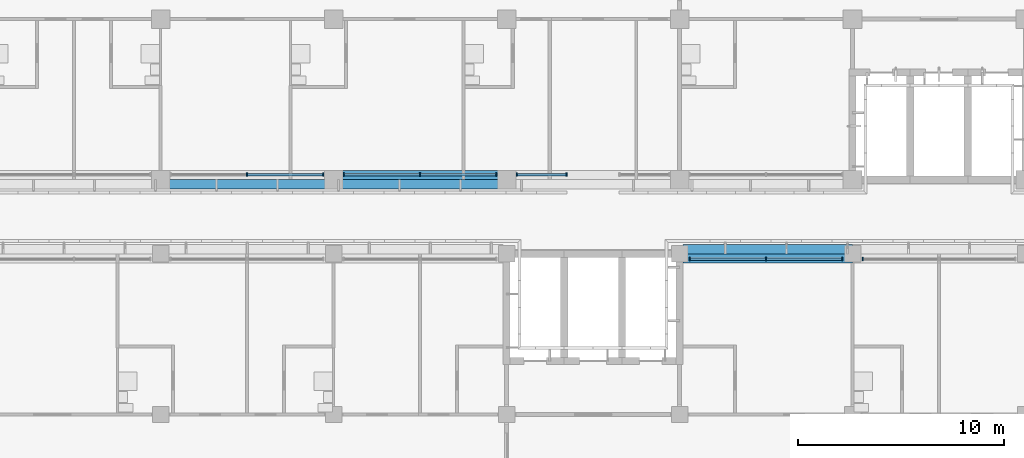
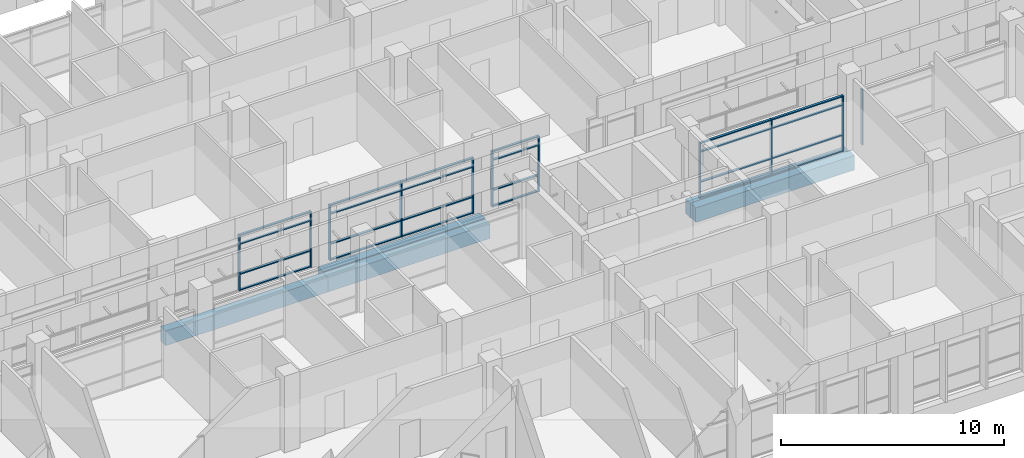
# One storey, part 31 of 137: 35 members, 5 beams, 5 elements without a shape of their own.
"""IFC4 building model written with IfcOpenShell, lengths in metres."""

from ifc_helpers import new_model, si_unit, direction, frame, origin, origin_2d, place, context, subcontext, project, spatial, rectangle, extrude, material, material_profile, profile_set, type_object, element, aggregate, save


model = new_model("IFC4")

# Units and contexts
model_context = context("Model", 3, precision=1e-05, world=origin(), true_north=direction((0.0, 1.0)))
body_context = subcontext(model_context, "Body", "Model", "MODEL_VIEW")
ifc_project = project(units=[si_unit("LENGTHUNIT", "METRE"), si_unit("AREAUNIT", "SQUARE_METRE"), si_unit("VOLUMEUNIT", "CUBIC_METRE"), si_unit("PLANEANGLEUNIT", "RADIAN"), si_unit("MASSUNIT", "GRAM", prefix="KILO")], contexts=[model_context])

# Site, building, storey
site_placement = place(None, origin())
site = spatial("IfcSite", under=ifc_project, at=site_placement, CompositionType="ELEMENT")
building_placement = place(site_placement, origin())
building = spatial("IfcBuilding", under=site, at=building_placement, Name="Bougainvillea Quay General Hospital", CompositionType="ELEMENT")
storey_placement = place(building_placement, frame((0.0, 0.0, 16.800048828125)))
storey = spatial("IfcBuildingStorey", under=building, at=storey_placement, Name="L03", CompositionType="ELEMENT", Elevation=16.800048828125)

# Curtain wall, members
ifc_material_1 = material(Name="Aluminium curtain wall system, powder-coated glazed", Category="aluminium")
curtain_wall_type_1 = type_object("IfcCurtainWallType", Name="Unitised curtain wall CW-3730", PredefinedType="NOTDEFINED", material=ifc_material_1)
curtain_wall_1_placement = place(storey_placement, origin())
curtain_wall_1 = element("IfcCurtainWall", 1, at=curtain_wall_1_placement, inside=storey, type_object=curtain_wall_type_1, Name="CW-4200 05", PredefinedType="NOTDEFINED")
ifc_material_2 = material(Name="Aluminium mullion, powder-coated charcoal", Category="aluminium")
ifc_material_profile_1 = material_profile(ifc_material_2, rectangle(XDim=0.159912109375, YDim=0.06005859375, at=origin_2d()))
ifc_profile_set_1 = profile_set([ifc_material_profile_1], Name="Aluminium mullion, powder-coated charcoal")
member_type_1 = type_object("IfcMemberType", Name="Curtain wall mullion 160x60", PredefinedType="MULLION", material=ifc_profile_set_1)
member_1_placement = place(storey_placement, frame((121.800048828125, 140.64990234375, 0.0), z_axis=(0.0, 0.0, 1.0), x_axis=(0.0, 1.0, 0.0)))
member_1 = element("IfcMember", 2, at=member_1_placement, type_object=member_type_1, Name="CW-4200 mullion 2", PredefinedType="MULLION", context=body_context, shape_type="SweptSolid", body=[
    extrude(rectangle(XDim=0.159912109375, YDim=0.06005859375, at=origin_2d()), origin(), (0.0, 0.0, 1.0), 3.050048828125),
])
member_2_placement = place(storey_placement, frame((125.5, 140.64990234375, 0.0), z_axis=(0.0, 0.0, 1.0), x_axis=(0.0, 1.0, 0.0)))
member_2 = element("IfcMember", 3, at=member_2_placement, type_object=member_type_1, Name="CW-4200 mullion 3", PredefinedType="MULLION", context=body_context, shape_type="SweptSolid", body=[
    extrude(rectangle(XDim=0.159912109375, YDim=0.06005859375, at=origin_2d()), origin(), (0.0, 0.0, 1.0), 3.050048828125),
])

curtain_wall_2_placement = place(storey_placement, origin())
curtain_wall_2 = element("IfcCurtainWall", 4, at=curtain_wall_2_placement, inside=storey, type_object=curtain_wall_type_1, Name="CW-4200 06", PredefinedType="NOTDEFINED")
member_3_placement = place(storey_placement, frame((126.5, 140.64990234375, 0.0), z_axis=(0.0, 0.0, 1.0), x_axis=(0.0, 1.0, 0.0)))
member_3 = element("IfcMember", 5, at=member_3_placement, type_object=member_type_1, Name="CW-4200 mullion 1", PredefinedType="MULLION", context=body_context, shape_type="SweptSolid", body=[
    extrude(rectangle(XDim=0.159912109375, YDim=0.06005859375, at=origin_2d()), origin(), (0.0, 0.0, 1.0), 3.050048828125),
])
member_4_placement = place(storey_placement, frame((130.199951171875, 140.64990234375, 0.0), z_axis=(0.0, 0.0, 1.0), x_axis=(0.0, 1.0, 0.0)))
member_4 = element("IfcMember", 6, at=member_4_placement, type_object=member_type_1, Name="CW-4200 mullion 2", PredefinedType="MULLION", context=body_context, shape_type="SweptSolid", body=[
    extrude(rectangle(XDim=0.159912109375, YDim=0.06005859375, at=origin_2d()), origin(), (0.0, 0.0, 1.0), 3.050048828125),
])
member_5_placement = place(storey_placement, frame((133.89990234375, 140.64990234375, 0.0), z_axis=(0.0, 0.0, 1.0), x_axis=(0.0, 1.0, 0.0)))
member_5 = element("IfcMember", 7, at=member_5_placement, type_object=member_type_1, Name="CW-4200 mullion 3", PredefinedType="MULLION", context=body_context, shape_type="SweptSolid", body=[
    extrude(rectangle(XDim=0.159912109375, YDim=0.06005859375, at=origin_2d()), origin(), (0.0, 0.0, 1.0), 3.050048828125),
])

curtain_wall_type_2 = type_object("IfcCurtainWallType", Name="Unitised curtain wall CW-2470", PredefinedType="NOTDEFINED", material=ifc_material_1)
curtain_wall_3_placement = place(storey_placement, origin())
curtain_wall_3 = element("IfcCurtainWall", 8, at=curtain_wall_3_placement, inside=storey, type_object=curtain_wall_type_2, Name="CW-4200 07", PredefinedType="NOTDEFINED")
member_6_placement = place(storey_placement, frame((134.89990234375, 140.64990234375, 0.0), z_axis=(0.0, 0.0, 1.0), x_axis=(0.0, 1.0, 0.0)))
member_6 = element("IfcMember", 9, at=member_6_placement, type_object=member_type_1, Name="CW-4200 mullion 1", PredefinedType="MULLION", context=body_context, shape_type="SweptSolid", body=[
    extrude(rectangle(XDim=0.159912109375, YDim=0.06005859375, at=origin_2d()), origin(), (0.0, 0.0, 1.0), 3.050048828125),
])
member_7_placement = place(storey_placement, frame((137.31005859375, 140.64990234375, 0.0), z_axis=(0.0, 0.0, 1.0), x_axis=(0.0, 1.0, 0.0)))
member_7 = element("IfcMember", 10, at=member_7_placement, type_object=member_type_1, Name="CW-4200 mullion 2", PredefinedType="MULLION", context=body_context, shape_type="SweptSolid", body=[
    extrude(rectangle(XDim=0.159912109375, YDim=0.06005859375, at=origin_2d()), origin(), (0.0, 0.0, 1.0), 3.050048828125),
])

# Curtain wall, member
curtain_wall_4_placement = place(storey_placement, origin())
curtain_wall_4 = element("IfcCurtainWall", 11, at=curtain_wall_4_placement, inside=storey, type_object=curtain_wall_type_1, Name="CW-4200 01", PredefinedType="NOTDEFINED")
member_8_placement = place(storey_placement, frame((151.699951171875, 136.550048828125, 0.0), z_axis=(0.0, 0.0, 1.0), x_axis=(0.0, -1.0, 0.0)))
member_8 = element("IfcMember", 12, at=member_8_placement, type_object=member_type_1, Name="CW-4200 mullion 3", PredefinedType="MULLION", context=body_context, shape_type="SweptSolid", body=[
    extrude(rectangle(XDim=0.159912109375, YDim=0.06005859375, at=origin_2d()), origin(), (0.0, 0.0, 1.0), 3.050048828125),
])
aggregate(curtain_wall_4, [member_8])

# Curtain wall, members
curtain_wall_5_placement = place(storey_placement, origin())
curtain_wall_5 = element("IfcCurtainWall", 13, at=curtain_wall_5_placement, inside=storey, type_object=curtain_wall_type_1, Name="CW-4200 02", PredefinedType="NOTDEFINED")
member_9_placement = place(storey_placement, frame((150.699951171875, 136.550048828125, 0.0), z_axis=(0.0, 0.0, 1.0), x_axis=(0.0, -1.0, 0.0)))
member_9 = element("IfcMember", 14, at=member_9_placement, type_object=member_type_1, Name="CW-4200 mullion 1", PredefinedType="MULLION", context=body_context, shape_type="SweptSolid", body=[
    extrude(rectangle(XDim=0.159912109375, YDim=0.06005859375, at=origin_2d()), origin(), (0.0, 0.0, 1.0), 3.050048828125),
])
member_10_placement = place(storey_placement, frame((147.0, 136.550048828125, 0.0), z_axis=(0.0, 0.0, 1.0), x_axis=(0.0, -1.0, 0.0)))
member_10 = element("IfcMember", 15, at=member_10_placement, type_object=member_type_1, Name="CW-4200 mullion 2", PredefinedType="MULLION", context=body_context, shape_type="SweptSolid", body=[
    extrude(rectangle(XDim=0.159912109375, YDim=0.06005859375, at=origin_2d()), origin(), (0.0, 0.0, 1.0), 3.050048828125),
])
member_11_placement = place(storey_placement, frame((143.300048828125, 136.550048828125, 0.0), z_axis=(0.0, 0.0, 1.0), x_axis=(0.0, -1.0, 0.0)))
member_11 = element("IfcMember", 16, at=member_11_placement, type_object=member_type_1, Name="CW-4200 mullion 3", PredefinedType="MULLION", context=body_context, shape_type="SweptSolid", body=[
    extrude(rectangle(XDim=0.159912109375, YDim=0.06005859375, at=origin_2d()), origin(), (0.0, 0.0, 1.0), 3.050048828125),
])

# Member
ifc_material_3 = material(Name="Aluminium transom, powder-coated charcoal", Category="aluminium")
ifc_material_profile_2 = material_profile(ifc_material_3, rectangle(XDim=0.1201171875, YDim=0.06005859375, at=origin_2d()))
ifc_profile_set_2 = profile_set([ifc_material_profile_2], Name="Aluminium transom, powder-coated charcoal")
member_type_2 = type_object("IfcMemberType", Name="Curtain wall transom 120x60", PredefinedType="USERDEFINED", material=ifc_profile_set_2)
member_12_placement = place(storey_placement, frame((121.830078125, 140.64990234375, 0.030029296875), z_axis=(1.0, 0.0, 0.0), x_axis=(0.0, 1.0, 0.0)))
member_12 = element("IfcMember", 17, at=member_12_placement, type_object=member_type_2, Name="CW-4200 transom 2.1", ObjectType="TRANSOM", PredefinedType="USERDEFINED", context=body_context, shape_type="SweptSolid", body=[
    extrude(rectangle(XDim=0.1201171875, YDim=0.06005859375, at=origin_2d()), origin(), (0.0, 0.0, 1.0), 3.639892578125),
])

member_13_placement = place(storey_placement, frame((121.830078125, 140.64990234375, 0.89990234375), z_axis=(1.0, 0.0, 0.0), x_axis=(0.0, 1.0, 0.0)))
member_13 = element("IfcMember", 18, at=member_13_placement, type_object=member_type_2, Name="CW-4200 transom 2.2", ObjectType="TRANSOM", PredefinedType="USERDEFINED", context=body_context, shape_type="SweptSolid", body=[
    extrude(rectangle(XDim=0.1201171875, YDim=0.06005859375, at=origin_2d()), origin(), (0.0, 0.0, 1.0), 3.639892578125),
])

member_14_placement = place(storey_placement, frame((121.830078125, 140.64990234375, 2.550048828125), z_axis=(1.0, 0.0, 0.0), x_axis=(0.0, 1.0, 0.0)))
member_14 = element("IfcMember", 19, at=member_14_placement, type_object=member_type_2, Name="CW-4200 transom 2.3", ObjectType="TRANSOM", PredefinedType="USERDEFINED", context=body_context, shape_type="SweptSolid", body=[
    extrude(rectangle(XDim=0.1201171875, YDim=0.06005859375, at=origin_2d()), origin(), (0.0, 0.0, 1.0), 3.639892578125),
])

member_15_placement = place(storey_placement, frame((121.830078125, 140.64990234375, 3.02001953125), z_axis=(1.0, 0.0, 0.0), x_axis=(0.0, 1.0, 0.0)))
member_15 = element("IfcMember", 20, at=member_15_placement, type_object=member_type_2, Name="CW-4200 transom 2.4", ObjectType="TRANSOM", PredefinedType="USERDEFINED", context=body_context, shape_type="SweptSolid", body=[
    extrude(rectangle(XDim=0.1201171875, YDim=0.06005859375, at=origin_2d()), origin(), (0.0, 0.0, 1.0), 3.639892578125),
])

aggregate(curtain_wall_1, [member_1, member_2, member_12, member_13, member_14, member_15])

member_16_placement = place(storey_placement, frame((126.530029296875, 140.64990234375, 0.030029296875), z_axis=(1.0, 0.0, 0.0), x_axis=(0.0, 1.0, 0.0)))
member_16 = element("IfcMember", 21, at=member_16_placement, type_object=member_type_2, Name="CW-4200 transom 1.1", ObjectType="TRANSOM", PredefinedType="USERDEFINED", context=body_context, shape_type="SweptSolid", body=[
    extrude(rectangle(XDim=0.1201171875, YDim=0.06005859375, at=origin_2d()), origin(), (0.0, 0.0, 1.0), 3.639892578125),
])

member_17_placement = place(storey_placement, frame((126.530029296875, 140.64990234375, 0.89990234375), z_axis=(1.0, 0.0, 0.0), x_axis=(0.0, 1.0, 0.0)))
member_17 = element("IfcMember", 22, at=member_17_placement, type_object=member_type_2, Name="CW-4200 transom 1.2", ObjectType="TRANSOM", PredefinedType="USERDEFINED", context=body_context, shape_type="SweptSolid", body=[
    extrude(rectangle(XDim=0.1201171875, YDim=0.06005859375, at=origin_2d()), origin(), (0.0, 0.0, 1.0), 3.639892578125),
])

member_18_placement = place(storey_placement, frame((126.530029296875, 140.64990234375, 2.550048828125), z_axis=(1.0, 0.0, 0.0), x_axis=(0.0, 1.0, 0.0)))
member_18 = element("IfcMember", 23, at=member_18_placement, type_object=member_type_2, Name="CW-4200 transom 1.3", ObjectType="TRANSOM", PredefinedType="USERDEFINED", context=body_context, shape_type="SweptSolid", body=[
    extrude(rectangle(XDim=0.1201171875, YDim=0.06005859375, at=origin_2d()), origin(), (0.0, 0.0, 1.0), 3.639892578125),
])

member_19_placement = place(storey_placement, frame((126.530029296875, 140.64990234375, 3.02001953125), z_axis=(1.0, 0.0, 0.0), x_axis=(0.0, 1.0, 0.0)))
member_19 = element("IfcMember", 24, at=member_19_placement, type_object=member_type_2, Name="CW-4200 transom 1.4", ObjectType="TRANSOM", PredefinedType="USERDEFINED", context=body_context, shape_type="SweptSolid", body=[
    extrude(rectangle(XDim=0.1201171875, YDim=0.06005859375, at=origin_2d()), origin(), (0.0, 0.0, 1.0), 3.639892578125),
])

member_20_placement = place(storey_placement, frame((130.22998046875, 140.64990234375, 0.030029296875), z_axis=(1.0, 0.0, 0.0), x_axis=(0.0, 1.0, 0.0)))
member_20 = element("IfcMember", 25, at=member_20_placement, type_object=member_type_2, Name="CW-4200 transom 2.1", ObjectType="TRANSOM", PredefinedType="USERDEFINED", context=body_context, shape_type="SweptSolid", body=[
    extrude(rectangle(XDim=0.1201171875, YDim=0.06005859375, at=origin_2d()), origin(), (0.0, 0.0, 1.0), 3.64013671875),
])

member_21_placement = place(storey_placement, frame((130.22998046875, 140.64990234375, 0.89990234375), z_axis=(1.0, 0.0, 0.0), x_axis=(0.0, 1.0, 0.0)))
member_21 = element("IfcMember", 26, at=member_21_placement, type_object=member_type_2, Name="CW-4200 transom 2.2", ObjectType="TRANSOM", PredefinedType="USERDEFINED", context=body_context, shape_type="SweptSolid", body=[
    extrude(rectangle(XDim=0.1201171875, YDim=0.06005859375, at=origin_2d()), origin(), (0.0, 0.0, 1.0), 3.64013671875),
])

member_22_placement = place(storey_placement, frame((130.22998046875, 140.64990234375, 2.550048828125), z_axis=(1.0, 0.0, 0.0), x_axis=(0.0, 1.0, 0.0)))
member_22 = element("IfcMember", 27, at=member_22_placement, type_object=member_type_2, Name="CW-4200 transom 2.3", ObjectType="TRANSOM", PredefinedType="USERDEFINED", context=body_context, shape_type="SweptSolid", body=[
    extrude(rectangle(XDim=0.1201171875, YDim=0.06005859375, at=origin_2d()), origin(), (0.0, 0.0, 1.0), 3.64013671875),
])

member_23_placement = place(storey_placement, frame((130.22998046875, 140.64990234375, 3.02001953125), z_axis=(1.0, 0.0, 0.0), x_axis=(0.0, 1.0, 0.0)))
member_23 = element("IfcMember", 28, at=member_23_placement, type_object=member_type_2, Name="CW-4200 transom 2.4", ObjectType="TRANSOM", PredefinedType="USERDEFINED", context=body_context, shape_type="SweptSolid", body=[
    extrude(rectangle(XDim=0.1201171875, YDim=0.06005859375, at=origin_2d()), origin(), (0.0, 0.0, 1.0), 3.64013671875),
])

aggregate(curtain_wall_2, [member_3, member_4, member_5, member_16, member_17, member_18, member_19, member_20, member_21, member_22, member_23])

member_24_placement = place(storey_placement, frame((134.929931640625, 140.64990234375, 0.030029296875), z_axis=(1.0, 0.0, 0.0), x_axis=(0.0, 1.0, 0.0)))
member_24 = element("IfcMember", 29, at=member_24_placement, type_object=member_type_2, Name="CW-4200 transom 1.1", ObjectType="TRANSOM", PredefinedType="USERDEFINED", context=body_context, shape_type="SweptSolid", body=[
    extrude(rectangle(XDim=0.1201171875, YDim=0.06005859375, at=origin_2d()), origin(), (0.0, 0.0, 1.0), 2.35009765625),
])

member_25_placement = place(storey_placement, frame((134.929931640625, 140.64990234375, 0.89990234375), z_axis=(1.0, 0.0, 0.0), x_axis=(0.0, 1.0, 0.0)))
member_25 = element("IfcMember", 30, at=member_25_placement, type_object=member_type_2, Name="CW-4200 transom 1.2", ObjectType="TRANSOM", PredefinedType="USERDEFINED", context=body_context, shape_type="SweptSolid", body=[
    extrude(rectangle(XDim=0.1201171875, YDim=0.06005859375, at=origin_2d()), origin(), (0.0, 0.0, 1.0), 2.35009765625),
])

member_26_placement = place(storey_placement, frame((134.929931640625, 140.64990234375, 2.550048828125), z_axis=(1.0, 0.0, 0.0), x_axis=(0.0, 1.0, 0.0)))
member_26 = element("IfcMember", 31, at=member_26_placement, type_object=member_type_2, Name="CW-4200 transom 1.3", ObjectType="TRANSOM", PredefinedType="USERDEFINED", context=body_context, shape_type="SweptSolid", body=[
    extrude(rectangle(XDim=0.1201171875, YDim=0.06005859375, at=origin_2d()), origin(), (0.0, 0.0, 1.0), 2.35009765625),
])

member_27_placement = place(storey_placement, frame((134.929931640625, 140.64990234375, 3.02001953125), z_axis=(1.0, 0.0, 0.0), x_axis=(0.0, 1.0, 0.0)))
member_27 = element("IfcMember", 32, at=member_27_placement, type_object=member_type_2, Name="CW-4200 transom 1.4", ObjectType="TRANSOM", PredefinedType="USERDEFINED", context=body_context, shape_type="SweptSolid", body=[
    extrude(rectangle(XDim=0.1201171875, YDim=0.06005859375, at=origin_2d()), origin(), (0.0, 0.0, 1.0), 2.35009765625),
])

aggregate(curtain_wall_3, [member_6, member_7, member_24, member_25, member_26, member_27])

member_28_placement = place(storey_placement, frame((150.669921875, 136.550048828125, 0.030029296875), z_axis=(-1.0, 0.0, 0.0), x_axis=(0.0, -1.0, 0.0)))
member_28 = element("IfcMember", 33, at=member_28_placement, type_object=member_type_2, Name="CW-4200 transom 1.1", ObjectType="TRANSOM", PredefinedType="USERDEFINED", context=body_context, shape_type="SweptSolid", body=[
    extrude(rectangle(XDim=0.1201171875, YDim=0.06005859375, at=origin_2d()), origin(), (0.0, 0.0, 1.0), 3.639892578125),
])

member_29_placement = place(storey_placement, frame((150.669921875, 136.550048828125, 0.89990234375), z_axis=(-1.0, 0.0, 0.0), x_axis=(0.0, -1.0, 0.0)))
member_29 = element("IfcMember", 34, at=member_29_placement, type_object=member_type_2, Name="CW-4200 transom 1.2", ObjectType="TRANSOM", PredefinedType="USERDEFINED", context=body_context, shape_type="SweptSolid", body=[
    extrude(rectangle(XDim=0.1201171875, YDim=0.06005859375, at=origin_2d()), origin(), (0.0, 0.0, 1.0), 3.639892578125),
])

member_30_placement = place(storey_placement, frame((150.669921875, 136.550048828125, 2.550048828125), z_axis=(-1.0, 0.0, 0.0), x_axis=(0.0, -1.0, 0.0)))
member_30 = element("IfcMember", 35, at=member_30_placement, type_object=member_type_2, Name="CW-4200 transom 1.3", ObjectType="TRANSOM", PredefinedType="USERDEFINED", context=body_context, shape_type="SweptSolid", body=[
    extrude(rectangle(XDim=0.1201171875, YDim=0.06005859375, at=origin_2d()), origin(), (0.0, 0.0, 1.0), 3.639892578125),
])

member_31_placement = place(storey_placement, frame((150.669921875, 136.550048828125, 3.02001953125), z_axis=(-1.0, 0.0, 0.0), x_axis=(0.0, -1.0, 0.0)))
member_31 = element("IfcMember", 36, at=member_31_placement, type_object=member_type_2, Name="CW-4200 transom 1.4", ObjectType="TRANSOM", PredefinedType="USERDEFINED", context=body_context, shape_type="SweptSolid", body=[
    extrude(rectangle(XDim=0.1201171875, YDim=0.06005859375, at=origin_2d()), origin(), (0.0, 0.0, 1.0), 3.639892578125),
])

member_32_placement = place(storey_placement, frame((146.969970703125, 136.550048828125, 0.030029296875), z_axis=(-1.0, 0.0, 0.0), x_axis=(0.0, -1.0, 0.0)))
member_32 = element("IfcMember", 37, at=member_32_placement, type_object=member_type_2, Name="CW-4200 transom 2.1", ObjectType="TRANSOM", PredefinedType="USERDEFINED", context=body_context, shape_type="SweptSolid", body=[
    extrude(rectangle(XDim=0.1201171875, YDim=0.06005859375, at=origin_2d()), origin(), (0.0, 0.0, 1.0), 3.639892578125),
])

member_33_placement = place(storey_placement, frame((146.969970703125, 136.550048828125, 0.89990234375), z_axis=(-1.0, 0.0, 0.0), x_axis=(0.0, -1.0, 0.0)))
member_33 = element("IfcMember", 38, at=member_33_placement, type_object=member_type_2, Name="CW-4200 transom 2.2", ObjectType="TRANSOM", PredefinedType="USERDEFINED", context=body_context, shape_type="SweptSolid", body=[
    extrude(rectangle(XDim=0.1201171875, YDim=0.06005859375, at=origin_2d()), origin(), (0.0, 0.0, 1.0), 3.639892578125),
])

member_34_placement = place(storey_placement, frame((146.969970703125, 136.550048828125, 2.550048828125), z_axis=(-1.0, 0.0, 0.0), x_axis=(0.0, -1.0, 0.0)))
member_34 = element("IfcMember", 39, at=member_34_placement, type_object=member_type_2, Name="CW-4200 transom 2.3", ObjectType="TRANSOM", PredefinedType="USERDEFINED", context=body_context, shape_type="SweptSolid", body=[
    extrude(rectangle(XDim=0.1201171875, YDim=0.06005859375, at=origin_2d()), origin(), (0.0, 0.0, 1.0), 3.639892578125),
])

member_35_placement = place(storey_placement, frame((146.969970703125, 136.550048828125, 3.02001953125), z_axis=(-1.0, 0.0, 0.0), x_axis=(0.0, -1.0, 0.0)))
member_35 = element("IfcMember", 40, at=member_35_placement, type_object=member_type_2, Name="CW-4200 transom 2.4", ObjectType="TRANSOM", PredefinedType="USERDEFINED", context=body_context, shape_type="SweptSolid", body=[
    extrude(rectangle(XDim=0.1201171875, YDim=0.06005859375, at=origin_2d()), origin(), (0.0, 0.0, 1.0), 3.639892578125),
])

aggregate(curtain_wall_5, [member_9, member_10, member_11, member_28, member_29, member_30, member_31, member_32, member_33, member_34, member_35])

# Beams
ifc_material_4 = material(Name="Concrete C40", Category="concrete")
ifc_material_profile_3 = material_profile(ifc_material_4, rectangle(XDim=0.449951171875, YDim=0.800048828125, at=origin_2d()))
ifc_profile_set_3 = profile_set([ifc_material_profile_3], Name="Concrete C40")
beam_type = type_object("IfcBeamType", Name="RC BEAM 450x800 C40", PredefinedType="BEAM", material=ifc_profile_set_3)
beam_1_placement = place(storey_placement, frame((126.0, 140.625, -0.699951171875), z_axis=(1.0, 0.0, 0.0), x_axis=(0.0, 1.0, 0.0)))
element("IfcBeam", 41, at=beam_1_placement, inside=storey, type_object=beam_type, Name="Edge beam L03", PredefinedType="BEAM", context=body_context, shape_type="SweptSolid", body=[
    extrude(rectangle(XDim=0.449951171875, YDim=0.800048828125, at=origin_2d()), origin(), (0.0, 0.0, 1.0), 8.39990234375),
])
beam_2_placement = place(storey_placement, frame((151.199951171875, 136.574951171875, -0.699951171875), z_axis=(-1.0, 0.0, 0.0), x_axis=(0.0, -1.0, 0.0)))
element("IfcBeam", 42, at=beam_2_placement, inside=storey, type_object=beam_type, Name="Edge beam L03", PredefinedType="BEAM", context=body_context, shape_type="SweptSolid", body=[
    extrude(rectangle(XDim=0.449951171875, YDim=0.800048828125, at=origin_2d()), origin(), (0.0, 0.0, 1.0), 8.224853515625),
])
for number, where, z_axis, x_axis, name in (
    (43, (134.39990234375, 140.175048828125, -0.75), (-1.0, 0.0, 0.0), (0.0, -1.0, 0.0), "Edge beam L03"),
    (44, (126.0, 140.175048828125, -0.75), (-1.0, 0.0, 0.0), (0.0, -1.0, 0.0), "Edge beam L03"),
):
    element("IfcBeam", number, at=place(storey_placement, frame(where, z_axis=z_axis, x_axis=x_axis)), inside=storey, type_object=beam_type, Name=name, PredefinedType="BEAM", context=body_context, shape_type="SweptSolid", body=[
        extrude(rectangle(XDim=0.449951171875, YDim=0.800048828125, at=origin_2d()), origin(), (0.0, 0.0, 1.0), 8.39990234375),
    ])
beam_3_placement = place(storey_placement, frame((142.97509765625, 137.02490234375, -0.75), z_axis=(1.0, 0.0, 0.0), x_axis=(0.0, 1.0, 0.0)))
element("IfcBeam", 45, at=beam_3_placement, inside=storey, type_object=beam_type, Name="Edge beam L03", PredefinedType="BEAM", context=body_context, shape_type="SweptSolid", body=[
    extrude(rectangle(XDim=0.449951171875, YDim=0.800048828125, at=origin_2d()), origin(), (0.0, 0.0, 1.0), 8.224853515625),
])

save(model, "model.ifc")
